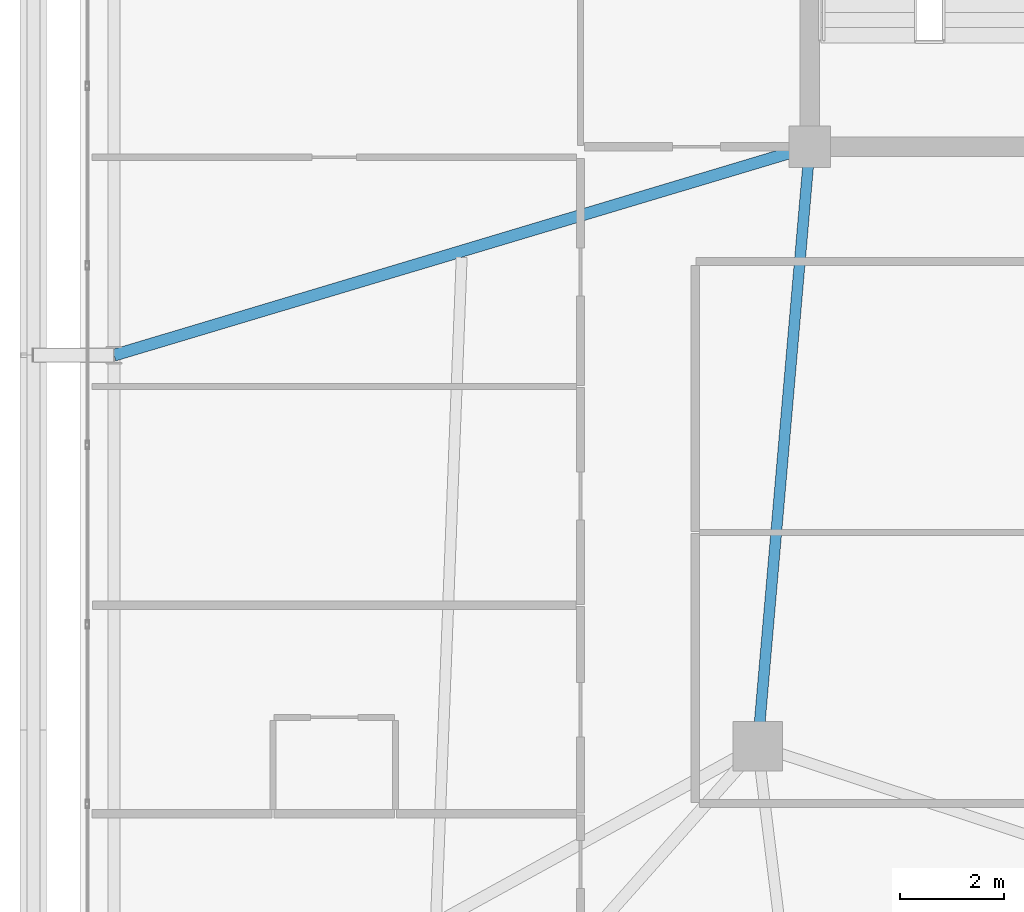
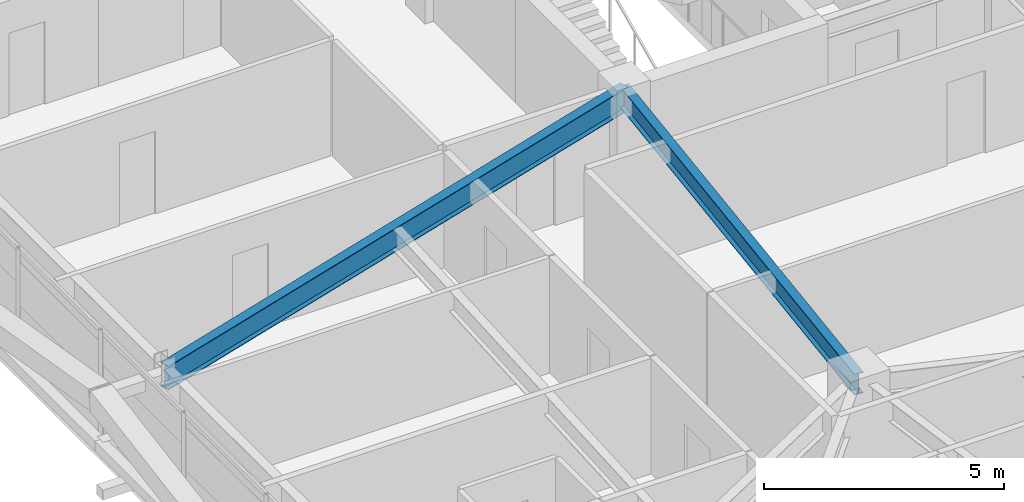
# One storey, part 15 of 59: 2 beams.
"""IFC4 building model written with IfcOpenShell, lengths in metres."""

from ifc_helpers import new_model, si_unit, direction, frame, origin, origin_2d, place, context, subcontext, project, spatial, i_section, extrude, source, transform, mapped, material, material_profile, profile_set, type_object, element, save


model = new_model("IFC4")

# Units and contexts
model_context = context("Model", 3, precision=1e-05, world=origin(), true_north=direction((0.0, 1.0)))
body_context = subcontext(model_context, "Body", "Model", "MODEL_VIEW")
ifc_project = project(units=[si_unit("LENGTHUNIT", "METRE"), si_unit("AREAUNIT", "SQUARE_METRE"), si_unit("VOLUMEUNIT", "CUBIC_METRE"), si_unit("PLANEANGLEUNIT", "RADIAN"), si_unit("MASSUNIT", "GRAM", prefix="KILO")], contexts=[model_context])

# Site, building, storey
site_placement = place(None, origin())
site = spatial("IfcSite", under=ifc_project, at=site_placement, CompositionType="ELEMENT")
building_placement = place(site_placement, origin())
building = spatial("IfcBuilding", under=site, at=building_placement, Name="Taldren Reach Tower", CompositionType="ELEMENT")
storey_placement = place(building_placement, frame((0.0, 0.0, 23.10009765625)))
storey = spatial("IfcBuildingStorey", under=building, at=storey_placement, Name="L06", CompositionType="ELEMENT", Elevation=23.10009765625)

# Beams
ifc_material = material(Name="Steel Gr 350 (350PLUS)", Category="steel")
ifc_material_profile_1 = material_profile(ifc_material, i_section(OverallWidth=0.208984375, OverallDepth=0.532958984375, WebThickness=0.01025390625, FlangeThickness=0.015625, at=origin_2d()), Name="530UB92.4")
ifc_profile_set_1 = profile_set([ifc_material_profile_1], Name="Steel Gr 350 (350PLUS)")
beam_type_1 = type_object("IfcBeamType", Name="BM-UB530A", PredefinedType="BEAM", material=ifc_profile_set_1)
shared_shape_1 = source(origin(), body_context, "Body", "SweptSolid", [
    extrude(i_section(OverallWidth=0.208984375, OverallDepth=0.532958984375, WebThickness=0.01025390625, FlangeThickness=0.015625, at=origin_2d()), origin(), (0.0, 0.0, 1.0), 11.54345703125),
])
beam_1_placement = place(storey_placement, frame((19.0, 24.0, 2.663330078125), z_axis=(-0.086629616365, -0.996240588196, 0.0), x_axis=(0.996240588196, -0.086629616365, 0.0)))
element("IfcBeam", 1, at=beam_1_placement, inside=storey, type_object=beam_type_1, Name="Core-spine girder L06-SP09", PredefinedType="BEAM", context=body_context, shape_type="MappedRepresentation", body=[
    mapped(shared_shape_1, transform((0.0, 0.0, 0.0), scale=1.0)),
])
ifc_material_profile_2 = material_profile(ifc_material, i_section(OverallWidth=0.22802734375, OverallDepth=0.60205078125, WebThickness=0.010498046875, FlangeThickness=0.014892578125, at=origin_2d()), Name="610UB101")
ifc_profile_set_2 = profile_set([ifc_material_profile_2], Name="Steel Gr 350 (350PLUS)")
beam_type_2 = type_object("IfcBeamType", Name="BM-UB610B", PredefinedType="BEAM", material=ifc_profile_set_2)
shared_shape_2 = source(origin(), body_context, "Body", "SweptSolid", [
    extrude(i_section(OverallWidth=0.22802734375, OverallDepth=0.60205078125, WebThickness=0.010498046875, FlangeThickness=0.014892578125, at=origin_2d()), origin(), (0.0, 0.0, 1.0), 13.9365234375),
])
beam_2_placement = place(storey_placement, frame((19.0, 24.0, 2.62890625), z_axis=(-0.957925550891, -0.287016792104, 0.0), x_axis=(0.287016792104, -0.957925550891, 0.0)))
element("IfcBeam", 2, at=beam_2_placement, inside=storey, type_object=beam_type_2, Name="Primary floor girder B1-W2 L06", PredefinedType="BEAM", context=body_context, shape_type="MappedRepresentation", body=[
    mapped(shared_shape_2, transform((0.0, 0.0, 0.0), scale=1.0)),
])

save(model, "model.ifc")
